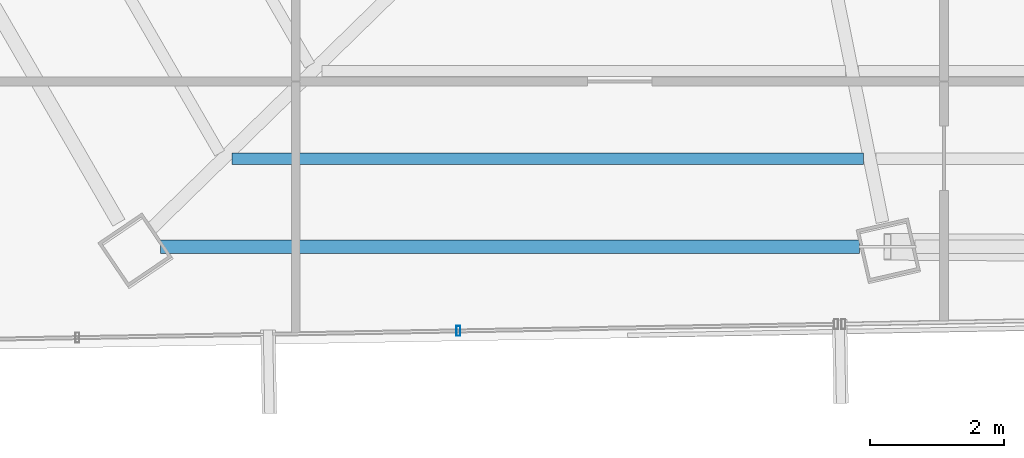
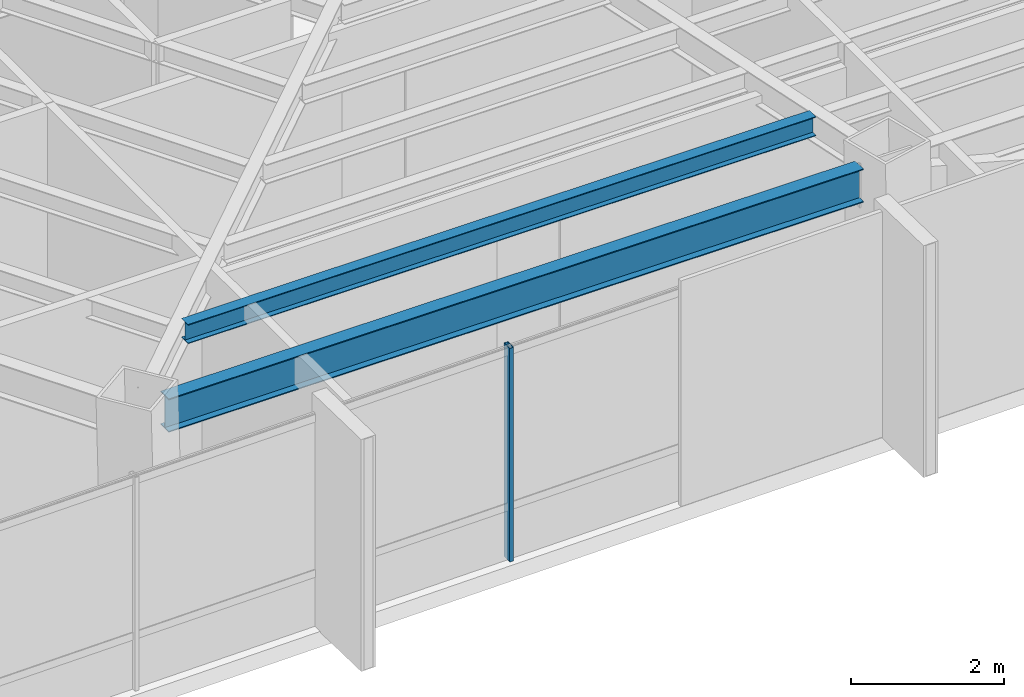
# One storey, part 6 of 42: 2 beams, 1 member, 1 element without a shape of its own.
"""IFC4 building model written with IfcOpenShell, lengths in metres."""

from ifc_helpers import new_model, si_unit, direction, frame, origin, origin_2d, place, context, subcontext, project, spatial, hollow_rectangle, i_section, extrude, source, transform, mapped, material, material_profile, profile_set, type_object, type_shapes, element, aggregate, save


model = new_model("IFC4")

# Units and contexts
model_context = context("Model", 3, precision=1e-05, world=origin(), true_north=direction((0.0, 1.0)))
body_context = subcontext(model_context, "Body", "Model", "MODEL_VIEW")
ifc_project = project(units=[si_unit("LENGTHUNIT", "METRE"), si_unit("AREAUNIT", "SQUARE_METRE"), si_unit("VOLUMEUNIT", "CUBIC_METRE"), si_unit("PLANEANGLEUNIT", "RADIAN"), si_unit("MASSUNIT", "GRAM", prefix="KILO")], contexts=[model_context])

# Site, building, storey
site_placement = place(None, origin())
site = spatial("IfcSite", under=ifc_project, at=site_placement, CompositionType="ELEMENT")
building_placement = place(site_placement, origin())
building = spatial("IfcBuilding", under=site, at=building_placement, Name="Caelisora Broadcast Tower", CompositionType="ELEMENT")
storey_placement = place(building_placement, frame((0.0, 0.0, 195.0)))
storey = spatial("IfcBuildingStorey", under=building, at=storey_placement, Name="L51", CompositionType="ELEMENT", Elevation=195.0)

# Beams
ifc_material_1 = material(Name="Steel Grade 350 (AS/NZS 3679.1)", Category="steel")
ifc_material_profile_1 = material_profile(ifc_material_1, i_section(OverallWidth=0.208984375, OverallDepth=0.532958984375, WebThickness=0.01025390625, FlangeThickness=0.015625, at=origin_2d()), Name="Steel Grade 350 (AS/NZS 3679.1)")
ifc_profile_set_1 = profile_set([ifc_material_profile_1], Name="Steel Grade 350 (AS/NZS 3679.1)")
beam_type_1 = type_object("IfcBeamType", Name="PG05", PredefinedType="BEAM", material=ifc_profile_set_1)
shared_shape_1 = source(origin(), body_context, "Body", "SweptSolid", [
    extrude(i_section(OverallWidth=0.208984375, OverallDepth=0.532958984375, WebThickness=0.01025390625, FlangeThickness=0.015625, at=origin_2d()), origin(), (0.0, 0.0, 1.0), 10.458740234375),
])
type_shapes(beam_type_1, [shared_shape_1])
beam_1_placement = place(storey_placement, frame((21.47998046875, 8.18798828125, 3.133544921875), z_axis=(1.0, 0.0, 0.0), x_axis=(0.0, 1.0, 0.0)))
element("IfcBeam", 1, at=beam_1_placement, inside=storey, type_object=beam_type_1, Name="L51 beam PG05", PredefinedType="BEAM", context=body_context, shape_type="MappedRepresentation", body=[
    mapped(shared_shape_1, transform((0.0, 0.0, 0.0), scale=1.0)),
])
ifc_material_profile_2 = material_profile(ifc_material_1, i_section(OverallWidth=0.166015625, OverallDepth=0.30712890625, WebThickness=0.006591796875, FlangeThickness=0.01171875, at=origin_2d()), Name="Steel Grade 350 (AS/NZS 3679.1)")
ifc_profile_set_2 = profile_set([ifc_material_profile_2], Name="Steel Grade 350 (AS/NZS 3679.1)")
beam_type_2 = type_object("IfcBeamType", Name="SB03", PredefinedType="JOIST", material=ifc_profile_set_2)
shared_shape_2 = source(origin(), body_context, "Body", "SweptSolid", [
    extrude(i_section(OverallWidth=0.166015625, OverallDepth=0.30712890625, WebThickness=0.006591796875, FlangeThickness=0.01171875, at=origin_2d()), origin(), (0.0, 0.0, 1.0), 9.44970703125),
])
type_shapes(beam_type_2, [shared_shape_2])
beam_2_placement = place(storey_placement, frame((22.545654296875, 9.504150390625, 3.246337890625), z_axis=(1.0, 0.0, 0.0), x_axis=(0.0, 1.0, 0.0)))
element("IfcBeam", 2, at=beam_2_placement, inside=storey, type_object=beam_type_2, Name="L51 beam SB03", PredefinedType="JOIST", context=body_context, shape_type="MappedRepresentation", body=[
    mapped(shared_shape_2, transform((0.0, 0.0, 0.0), scale=1.0)),
])

# Curtain wall, member
ifc_material_2 = material(Name="Unitised Aluminium and Low-E Glass Curtain Wall", Category="glass")
curtain_wall_type = type_object("IfcCurtainWallType", Name="CW-Z4", PredefinedType="NOTDEFINED", material=ifc_material_2)
curtain_wall_placement = place(storey_placement, origin())
curtain_wall = element("IfcCurtainWall", 3, at=curtain_wall_placement, inside=storey, type_object=curtain_wall_type, Name="L51 curtain wall CW-Z4", PredefinedType="NOTDEFINED")
ifc_material_3 = material(Name="Aluminium 6063-T6 Anodised Terracotta Bronze", Category="aluminium")
ifc_material_profile_3 = material_profile(ifc_material_3, hollow_rectangle(XDim=0.06005859375, YDim=0.14990234375, WallThickness=0.00341796875, at=origin_2d()), Name="Aluminium 6063-T6 Anodised Terracotta Bronze")
ifc_profile_set_3 = profile_set([ifc_material_profile_3], Name="Aluminium 6063-T6 Anodised Terracotta Bronze")
member_type = type_object("IfcMemberType", Name="CWM-03", PredefinedType="MULLION", material=ifc_profile_set_3)
shared_shape_3 = source(origin(), body_context, "Body", "SweptSolid", [
    extrude(hollow_rectangle(XDim=0.06005859375, YDim=0.14990234375, WallThickness=0.00341796875, at=origin_2d()), origin(), (0.0, 0.0, 1.0), 3.39990234375),
])
type_shapes(member_type, [shared_shape_3])
member_placement = place(storey_placement, frame((25.935302734375, 6.928955078125, 0.0), z_axis=(0.0, 0.0, 1.0), x_axis=(1.0, 0.0, 0.0)))
member = element("IfcMember", 4, at=member_placement, type_object=member_type, Name="L51-CW-B07 mullion #1", PredefinedType="MULLION", context=body_context, shape_type="MappedRepresentation", body=[
    mapped(shared_shape_3, transform((0.0, 0.0, 0.0), scale=1.0)),
])
aggregate(curtain_wall, [member])

save(model, "model.ifc")
